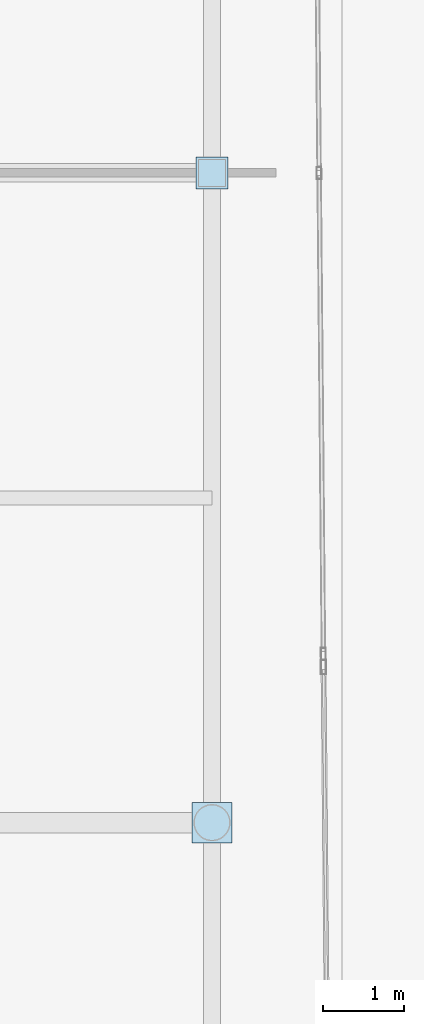
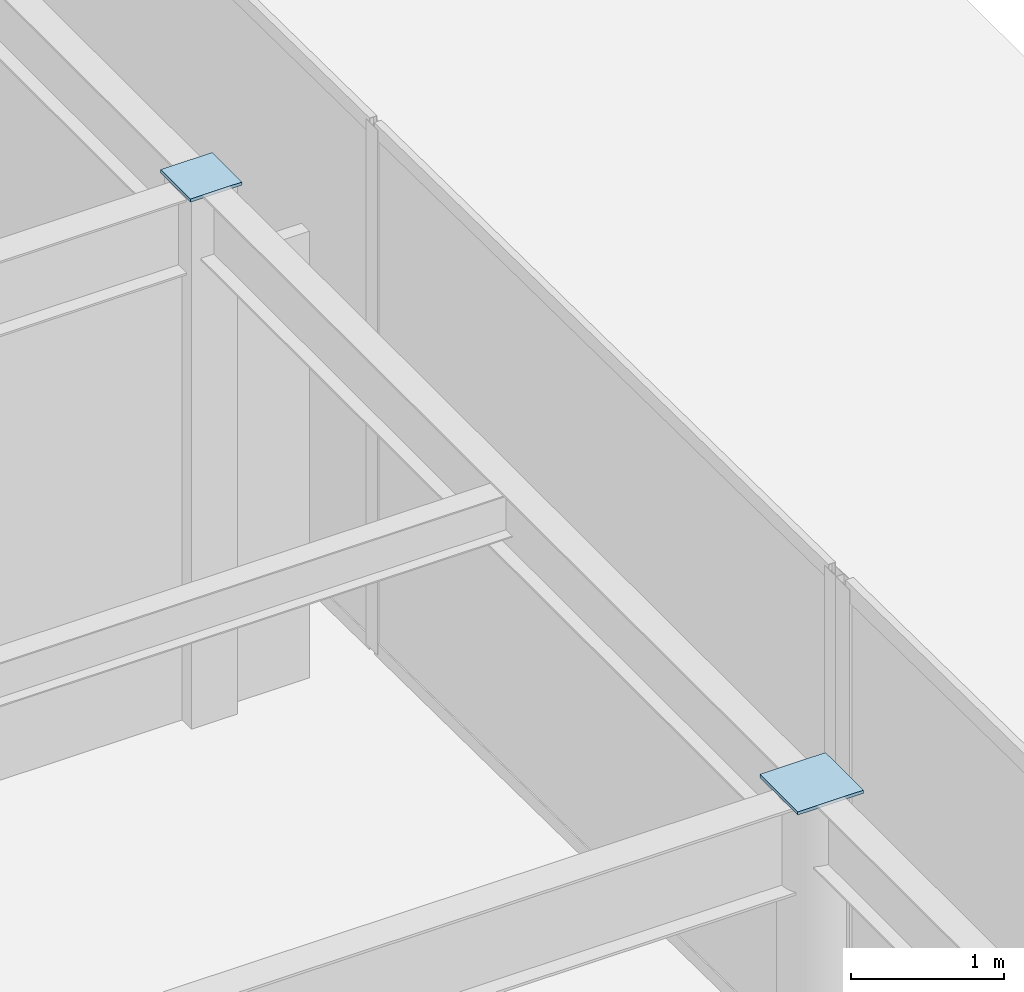
# One storey, part 71 of 107: 2 plates.
"""IFC4 building model written with IfcOpenShell, lengths in metres."""

import ifcopenshell
import ifcopenshell.guid

model = None  # the IFC model being written
_history = None  # IfcOwnerHistory: only IFC2X3 demands one
_inside = {}  # id of a spatial element -> (the spatial element, [elements in it])
_under = {}  # id of a project, library or spatial element -> (it, [spatial elements below it])
_declared = {}  # id of a project -> (the project, [libraries it declares])
_typed = {}  # id of a type object -> (the type object, [elements of that type])
_made_of = {}  # id of a material, layer set ... -> (it, [elements and type objects made of it])


def new_model(schema):
    """Start an empty IFC model of exactly this schema.

    Asked for "IFC4X3", IfcOpenShell would pick the latest addendum, in which some entities
    have other attributes; the version numbers below select the first issue.
    IFC2X3 requires an IfcOwnerHistory on every rooted entity: one is made here for all.
    """
    global model, _history
    if schema == "IFC4X3":
        model = ifcopenshell.file(schema_version=(4, 3, 0, 0))
    else:
        model = ifcopenshell.file(schema=schema)
    _inside.clear()
    _under.clear()
    _declared.clear()
    _typed.clear()
    _made_of.clear()
    _history = None
    if model.schema == "IFC2X3":
        org = make("IfcOrganization", Name="unknown")
        user = make(
            "IfcPersonAndOrganization",
            ThePerson=make("IfcPerson", FamilyName="unknown"),
            TheOrganization=org,
        )
        app = make(
            "IfcApplication",
            ApplicationDeveloper=org,
            Version="unknown",
            ApplicationFullName="unknown",
            ApplicationIdentifier="unknown",
        )
        _history = make(
            "IfcOwnerHistory",
            OwningUser=user,
            OwningApplication=app,
            ChangeAction="ADDED",
            CreationDate=0,
        )
    return model


def make(cls, **values):
    """One entity of the class cls with the attributes given. An attribute that is None is left unset."""
    return model.create_entity(
        cls, **{name: value for name, value in values.items() if value is not None}
    )


def rooted(cls, **values):
    """An entity with a GlobalId (a new one), such as an element, a storey or a relation."""
    return make(cls, GlobalId=ifcopenshell.guid.new(), OwnerHistory=_history, **values)


def si_unit(unit_type, name, prefix=None):
    """IfcSIUnit, for example si_unit("LENGTHUNIT", "METRE", prefix="MILLI")."""
    return make("IfcSIUnit", UnitType=unit_type, Prefix=prefix, Name=name)


def assignment(units):
    """IfcUnitAssignment: the units of a project."""
    return None if units is None else make("IfcUnitAssignment", Units=units)


def point(xyz):
    """IfcCartesianPoint."""
    return None if xyz is None else make("IfcCartesianPoint", Coordinates=xyz)


def direction(xyz):
    """IfcDirection."""
    return None if xyz is None else make("IfcDirection", DirectionRatios=xyz)


def frame(location, z_axis=None, x_axis=None):
    """IfcAxis2Placement3D, a coordinate frame: its origin and axes. An axis left out is left unset."""
    return make(
        "IfcAxis2Placement3D",
        Location=point(location),
        Axis=direction(z_axis),
        RefDirection=direction(x_axis),
    )


def frame_2d(location, x_axis=None):
    """IfcAxis2Placement2D, a coordinate frame in the plane: its origin and x axis."""
    return make(
        "IfcAxis2Placement2D", Location=point(location), RefDirection=direction(x_axis)
    )


def origin():
    """The frame at (0, 0, 0) with its axes left unset."""
    return frame((0.0, 0.0, 0.0))


def origin_2d():
    """The frame at (0, 0) in the plane with its x axis left unset."""
    return frame_2d((0.0, 0.0))


def place(relative_to, where):
    """IfcLocalPlacement: puts the frame where relative to a parent placement (None: the world)."""
    return make(
        "IfcLocalPlacement", PlacementRelTo=relative_to, RelativePlacement=where
    )


def context(
    kind, dimensions, precision=None, world=None, true_north=None, identifier=None
):
    """IfcGeometricRepresentationContext, for example the 3D "Model" context."""
    return make(
        "IfcGeometricRepresentationContext",
        ContextIdentifier=identifier,
        ContextType=kind,
        CoordinateSpaceDimension=dimensions,
        Precision=precision,
        WorldCoordinateSystem=world,
        TrueNorth=true_north,
    )


def subcontext(parent, identifier, kind, view, scale=None):
    """IfcGeometricRepresentationSubContext, for example "Body" below "Model"."""
    return make(
        "IfcGeometricRepresentationSubContext",
        ContextIdentifier=identifier,
        ContextType=kind,
        ParentContext=parent,
        TargetScale=scale,
        TargetView=view,
    )


def project(units=None, contexts=None):
    """IfcProject with its units and contexts."""
    return rooted(
        "IfcProject",
        Name="project",
        RepresentationContexts=contexts,
        UnitsInContext=assignment(units),
    )


def spatial(cls, under=None, at=None, **own):
    """A site, building, storey or space (cls), placed at a placement, below another one or the project."""
    s = rooted(cls, ObjectPlacement=at, **own)
    if under is not None:
        _under.setdefault(under.id(), (under, []))[1].append(s)
    return s


def profile(cls, at=None, kind="AREA", **sizes):
    """A parametric profile (cls). Its sizes go by their IFC names, for example OverallWidth=200.0."""
    return make(cls, ProfileType=kind, Position=at, **sizes)


def rectangle(**sizes):
    """IfcRectangleProfileDef."""
    return profile("IfcRectangleProfileDef", **sizes)


def extrude(swept, where, along, depth):
    """IfcExtrudedAreaSolid: the profile swept, set in the frame where, extruded along a direction by depth."""
    return make(
        "IfcExtrudedAreaSolid",
        SweptArea=swept,
        Position=where,
        ExtrudedDirection=direction(along),
        Depth=depth,
    )


def shape(context_of_items, identifier, shape_type, items):
    """IfcShapeRepresentation: the items that make up one representation, for example the "Body"."""
    return make(
        "IfcShapeRepresentation",
        ContextOfItems=context_of_items,
        RepresentationIdentifier=identifier,
        RepresentationType=shape_type,
        Items=items,
    )


def material(Name=None, Category=None):
    """IfcMaterial."""
    return make("IfcMaterial", Name=Name, Category=Category)


def layer(
    of_material, thickness, ventilated=None, Name=None, Category=None, Priority=None
):
    """IfcMaterialLayer: one layer of a wall or slab, of a material (None: an air gap)."""
    return make(
        "IfcMaterialLayer",
        Material=of_material,
        LayerThickness=thickness,
        IsVentilated=ventilated,
        Name=Name,
        Category=Category,
        Priority=Priority,
    )


def layer_set(layers, Name=None):
    """IfcMaterialLayerSet."""
    return make("IfcMaterialLayerSet", MaterialLayers=layers, LayerSetName=Name)


def made_of(thing, what):
    """Note that an element or type object is made of a material, layer set ...; save() writes the relation."""
    if what is not None:
        _made_of.setdefault(what.id(), (what, []))[1].append(thing)
    return thing


def type_object(cls, material=None, **own):
    """A type object (cls), such as IfcWallType, which elements share."""
    return made_of(rooted(cls, **own), material)


def element(
    cls,
    number,
    at=None,
    inside=None,
    cuts=None,
    type_object=None,
    material=None,
    context=None,
    identifier="Body",
    shape_type=None,
    held_by="IfcProductDefinitionShape",
    body=None,
    shapes=None,
    **own,
):
    """One element of the class cls, such as IfcWall. Its Tag is "e" and its number.

    at: its placement. inside: the storey or other place that contains it. cuts: it is an
    opening in that element (IfcRelVoidsElement). A single representation is given by context,
    identifier, shape_type and body (its items); several are given by shapes. held_by: the class
    of the entity that holds the representations. save() writes the other relations.
    """
    e = rooted(cls, Tag="e%d" % number, ObjectPlacement=at, **own)
    if body is not None:
        shapes = [shape(context, identifier, shape_type, body)]
    if shapes is not None:
        e.Representation = make(held_by, Representations=shapes)
    if inside is not None:
        _inside.setdefault(inside.id(), (inside, []))[1].append(e)
    if cuts is not None:
        rooted(
            "IfcRelVoidsElement", RelatingBuildingElement=cuts, RelatedOpeningElement=e
        )
    if type_object is not None:
        _typed.setdefault(type_object.id(), (type_object, []))[1].append(e)
    return made_of(e, material)


def aggregate(whole, parts):
    """IfcRelAggregates: a whole, such as a stair, and the parts it consists of."""
    return rooted("IfcRelAggregates", RelatingObject=whole, RelatedObjects=parts)


def save(model, path):
    """Write the relations noted so far, then the file.

    IfcRelAggregates (storeys below a building ...), IfcRelContainedInSpatialStructure (elements
    in a storey), IfcRelDefinesByType, IfcRelAssociatesMaterial and IfcRelDeclares: one each for
    every whole, place, type object, material and project.
    """
    for whole, parts in _under.values():
        aggregate(whole, parts)
    for where, things in _inside.values():
        rooted(
            "IfcRelContainedInSpatialStructure",
            RelatedElements=things,
            RelatingStructure=where,
        )
    for kind, things in _typed.values():
        rooted("IfcRelDefinesByType", RelatedObjects=things, RelatingType=kind)
    for what, things in _made_of.values():
        rooted("IfcRelAssociatesMaterial", RelatedObjects=things, RelatingMaterial=what)
    for by, libraries in _declared.values():
        rooted("IfcRelDeclares", RelatingContext=by, RelatedDefinitions=libraries)
    model.write(path)


model = new_model("IFC4")

# Units and contexts
model_context = context("Model", 3, precision=1e-05, world=origin(), true_north=direction((0.0, 1.0)))
body_context = subcontext(model_context, "Body", "Model", "MODEL_VIEW")
ifc_project = project(units=[si_unit("LENGTHUNIT", "METRE"), si_unit("AREAUNIT", "SQUARE_METRE"), si_unit("VOLUMEUNIT", "CUBIC_METRE"), si_unit("PLANEANGLEUNIT", "RADIAN"), si_unit("MASSUNIT", "GRAM", prefix="KILO")], contexts=[model_context])

# Site, building, storey
site_placement = place(None, origin())
site = spatial("IfcSite", under=ifc_project, at=site_placement, CompositionType="ELEMENT")
building_placement = place(site_placement, origin())
building = spatial("IfcBuilding", under=site, at=building_placement, Name="Kalgoora Escarpment Arena", CompositionType="ELEMENT")
storey_placement = place(building_placement, frame((0.0, 0.0, 5.39990234375)))
storey = spatial("IfcBuildingStorey", under=building, at=storey_placement, Name="L01", CompositionType="ELEMENT", Elevation=5.39990234375)

# Plates
ifc_material_1 = material(Name="Structural steel Grade 350 (350 MPa)", Category="steel")
ifc_layer_1 = layer(ifc_material_1, 0.02490234375)
ifc_layer_set_1 = layer_set([ifc_layer_1], Name="PLT-CAP-350")
plate_type_1 = type_object("IfcPlateType", Name="PLT-CAP-350", PredefinedType="USERDEFINED", material=ifc_layer_set_1)
plate_1_placement = place(storey_placement, frame((176.39990234375, 24.0, 4.235107421875), z_axis=(0.0, 0.0, 1.0), x_axis=(1.0, 0.0, 0.0)))
element("IfcPlate", 1, at=plate_1_placement, inside=storey, type_object=plate_type_1, Name="COL-G22-D-L01 end cap plate", ObjectType="FLANGE PLATE", PredefinedType="USERDEFINED", context=body_context, shape_type="SweptSolid", body=[
    extrude(rectangle(XDim=0.389892578125, YDim=0.389892578125, at=origin_2d()), origin(), (0.0, 0.0, 1.0), 0.02490234375),
])
ifc_material_2 = material(Name="Structural steel Grade 350 (350 MPa)", Category="steel")
ifc_layer_2 = layer(ifc_material_2, 0.02490234375)
ifc_layer_set_2 = layer_set([ifc_layer_2], Name="PLT-CAP-457")
plate_type_2 = type_object("IfcPlateType", Name="PLT-CAP-457", PredefinedType="USERDEFINED", material=ifc_layer_set_2)
plate_2_placement = place(storey_placement, frame((176.39990234375, 16.0, 4.235107421875), z_axis=(0.0, 0.0, 1.0), x_axis=(1.0, 0.0, 0.0)))
element("IfcPlate", 2, at=plate_2_placement, inside=storey, type_object=plate_type_2, Name="COL-G22-C-L01 end cap plate", ObjectType="FLANGE PLATE", PredefinedType="USERDEFINED", context=body_context, shape_type="SweptSolid", body=[
    extrude(rectangle(XDim=0.4970703125, YDim=0.4970703125, at=origin_2d()), origin(), (0.0, 0.0, 1.0), 0.02490234375),
])

save(model, "model.ifc")
